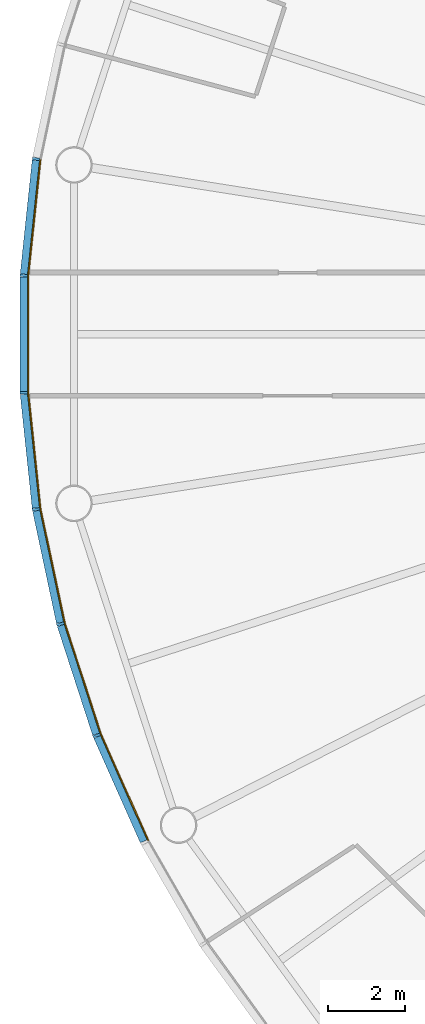
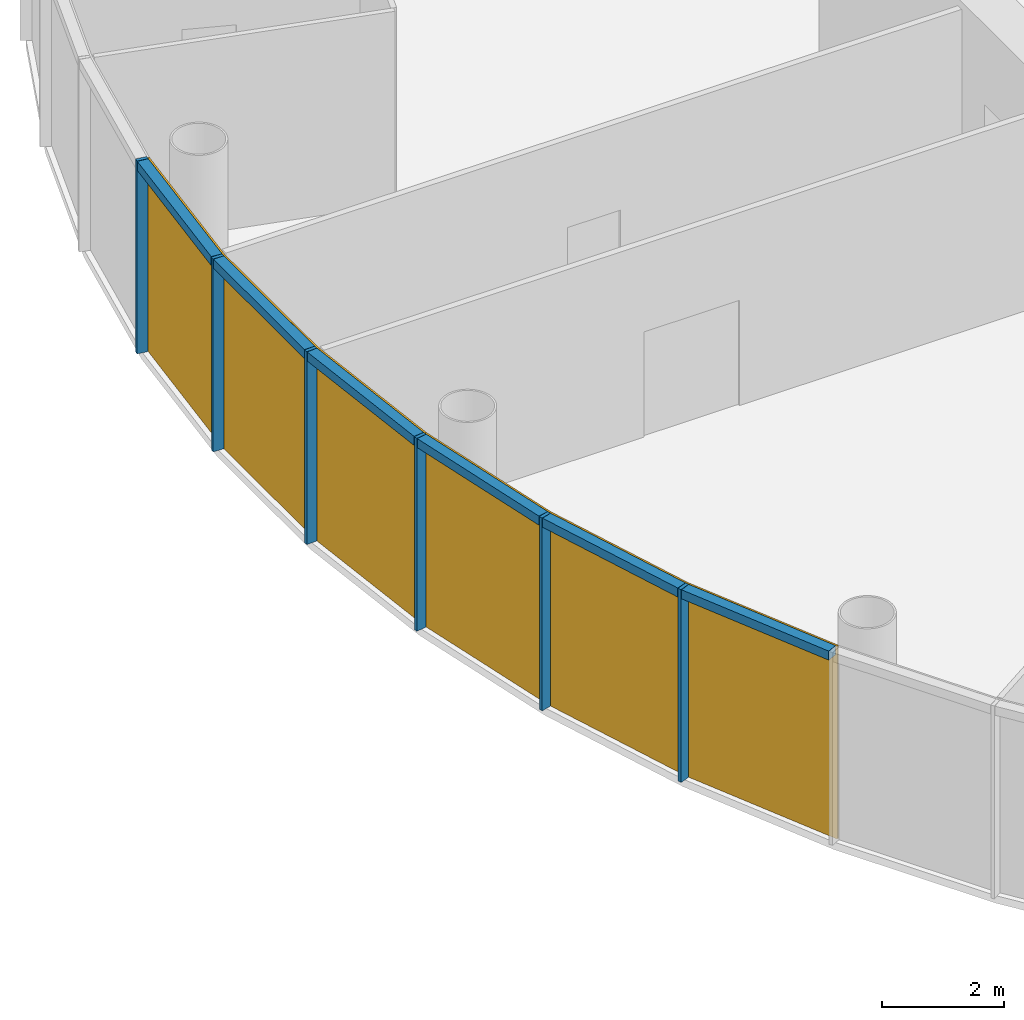
# One storey, part 8 of 13: 12 members, 2 curtain walls.
"""IFC4 building model written with IfcOpenShell, lengths in metres."""

from ifc_helpers import new_model, si_unit, direction, frame, origin, origin_2d, place, context, subcontext, project, spatial, polyline, rectangle, outline, extrude, material, layer, layer_set, material_profile, profile_set, type_object, element, aggregate, save


model = new_model("IFC4")

# Units and contexts
model_context = context("Model", 3, precision=1e-05, world=origin(), true_north=direction((0.0, 1.0)))
body_context = subcontext(model_context, "Body", "Model", "MODEL_VIEW")
ifc_project = project(units=[si_unit("LENGTHUNIT", "METRE"), si_unit("AREAUNIT", "SQUARE_METRE"), si_unit("VOLUMEUNIT", "CUBIC_METRE"), si_unit("PLANEANGLEUNIT", "RADIAN"), si_unit("MASSUNIT", "GRAM", prefix="KILO")], contexts=[model_context])

# Member
ifc_material_1 = material(Name="Anodised aluminium", Category="aluminium")
ifc_material_profile_1 = material_profile(ifc_material_1, rectangle(XDim=0.06494140625, YDim=0.195068359375, at=origin_2d()), Name="Mullion 65 x 195 mm anodised aluminium")
ifc_profile_set_1 = profile_set([ifc_material_profile_1], Name="Anodised aluminium")
member_type_1 = type_object("IfcMemberType", Name="Mullion 65 x 195 mm anodised aluminium", PredefinedType="MULLION", material=ifc_profile_set_1)
site_placement = place(None, origin())
building_placement = place(site_placement, origin())
storey_placement = place(building_placement, frame((0.0, 0.0, 282.0)))
member_1_placement = place(storey_placement, frame((61.2607421875, 84.5517578125, 0.0), z_axis=(0.0, 0.0, 1.0), x_axis=(-0.15643446504, -0.987688340595, 0.0)))
member_1 = element("IfcMember", 1, at=member_1_placement, type_object=member_type_1, Name="MULLION L64-27", PredefinedType="MULLION", context=body_context, shape_type="SweptSolid", body=[
    extrude(rectangle(XDim=0.06494140625, YDim=0.195068359375, at=origin_2d()), origin(), (0.0, 0.0, 1.0), 3.85009765625),
])

member_2_placement = place(storey_placement, frame((60.9423828125, 81.52294921875, 0.0), z_axis=(0.0, 0.0, 1.0), x_axis=(-0.052335956243, -0.998629534755, 0.0)))
member_2 = element("IfcMember", 2, at=member_2_placement, type_object=member_type_1, Name="MULLION L64-28", PredefinedType="MULLION", context=body_context, shape_type="SweptSolid", body=[
    extrude(rectangle(XDim=0.06494140625, YDim=0.195068359375, at=origin_2d()), origin(), (0.0, 0.0, 1.0), 3.85009765625),
])

member_3_placement = place(storey_placement, frame((60.9423828125, 78.47705078125, 0.0), z_axis=(0.0, 0.0, 1.0), x_axis=(0.052335956243, -0.998629534755, 0.0)))
member_3 = element("IfcMember", 3, at=member_3_placement, type_object=member_type_1, Name="MULLION L64-29", PredefinedType="MULLION", context=body_context, shape_type="SweptSolid", body=[
    extrude(rectangle(XDim=0.06494140625, YDim=0.195068359375, at=origin_2d()), origin(), (0.0, 0.0, 1.0), 3.85009765625),
])

member_4_placement = place(storey_placement, frame((61.2607421875, 75.4482421875, 0.0), z_axis=(0.0, 0.0, 1.0), x_axis=(0.15643446504, -0.987688340595, 0.0)))
member_4 = element("IfcMember", 4, at=member_4_placement, type_object=member_type_1, Name="MULLION L64-30", PredefinedType="MULLION", context=body_context, shape_type="SweptSolid", body=[
    extrude(rectangle(XDim=0.06494140625, YDim=0.195068359375, at=origin_2d()), origin(), (0.0, 0.0, 1.0), 3.85009765625),
])

member_5_placement = place(storey_placement, frame((61.89404296875, 72.468994140625, 0.0), z_axis=(0.0, 0.0, 1.0), x_axis=(0.258819045103, -0.965925826289, 0.0)))
member_5 = element("IfcMember", 5, at=member_5_placement, type_object=member_type_1, Name="MULLION L64-31", PredefinedType="MULLION", context=body_context, shape_type="SweptSolid", body=[
    extrude(rectangle(XDim=0.06494140625, YDim=0.195068359375, at=origin_2d()), origin(), (0.0, 0.0, 1.0), 3.85009765625),
])

member_6_placement = place(storey_placement, frame((62.835205078125, 69.572509765625, 0.0), z_axis=(0.0, 0.0, 1.0), x_axis=(0.358367949545, -0.933580426497, 0.0)))
member_6 = element("IfcMember", 6, at=member_6_placement, type_object=member_type_1, Name="MULLION L64-32", PredefinedType="MULLION", context=body_context, shape_type="SweptSolid", body=[
    extrude(rectangle(XDim=0.06494140625, YDim=0.195068359375, at=origin_2d()), origin(), (0.0, 0.0, 1.0), 3.85009765625),
])

ifc_material_2 = material(Name="Anodised aluminium", Category="aluminium")
ifc_material_profile_2 = material_profile(ifc_material_2, rectangle(XDim=0.195068359375, YDim=0.179931640625, at=origin_2d()), Name="Transom 180 x 195 mm anodised aluminium")
ifc_profile_set_2 = profile_set([ifc_material_profile_2], Name="Anodised aluminium")
member_type_2 = type_object("IfcMemberType", Name="Transom 180 x 195 mm anodised aluminium", PredefinedType="USERDEFINED", material=ifc_profile_set_2)
member_7_placement = place(storey_placement, frame((61.256591796875, 84.514404296875, 3.760009765625), z_axis=(-0.104466577987, -0.994528397827, 0.0), x_axis=(0.994528397827, -0.104466577987, 0.0)))
member_7 = element("IfcMember", 7, at=member_7_placement, type_object=member_type_2, Name="TRANSOM L64-27", ObjectType="TRANSOM", PredefinedType="USERDEFINED", context=body_context, shape_type="SweptSolid", body=[
    extrude(rectangle(XDim=0.195068359375, YDim=0.179931640625, at=origin_2d()), origin(), (0.0, 0.0, 1.0), 2.970458984375),
])

member_8_placement = place(storey_placement, frame((60.942138671875, 81.4853515625, 3.760009765625), z_axis=(0.0, -1.0, 0.0), x_axis=(1.0, 0.0, 0.0)))
member_8 = element("IfcMember", 8, at=member_8_placement, type_object=member_type_2, Name="TRANSOM L64-28", ObjectType="TRANSOM", PredefinedType="USERDEFINED", context=body_context, shape_type="SweptSolid", body=[
    extrude(rectangle(XDim=0.195068359375, YDim=0.179931640625, at=origin_2d()), origin(), (0.0, 0.0, 1.0), 2.970703125),
])

member_9_placement = place(storey_placement, frame((60.9462890625, 78.439697265625, 3.760009765625), z_axis=(0.104466577987, -0.994528397827, 0.0), x_axis=(0.994528397827, 0.104466577987, 0.0)))
member_9 = element("IfcMember", 9, at=member_9_placement, type_object=member_type_2, Name="TRANSOM L64-29", ObjectType="TRANSOM", PredefinedType="USERDEFINED", context=body_context, shape_type="SweptSolid", body=[
    extrude(rectangle(XDim=0.195068359375, YDim=0.179931640625, at=origin_2d()), origin(), (0.0, 0.0, 1.0), 2.970458984375),
])

member_10_placement = place(storey_placement, frame((61.268310546875, 75.411376953125, 3.760009765625), z_axis=(0.207940342877, -0.978141510112, 0.0), x_axis=(0.978141510112, 0.207940342877, 0.0)))
member_10 = element("IfcMember", 10, at=member_10_placement, type_object=member_type_2, Name="TRANSOM L64-30", ObjectType="TRANSOM", PredefinedType="USERDEFINED", context=body_context, shape_type="SweptSolid", body=[
    extrude(rectangle(XDim=0.195068359375, YDim=0.179931640625, at=origin_2d()), origin(), (0.0, 0.0, 1.0), 2.970458984375),
])

member_11_placement = place(storey_placement, frame((61.905517578125, 72.43310546875, 3.760009765625), z_axis=(0.309043326415, -0.951047960094, 0.0), x_axis=(0.951047960094, 0.309043326415, 0.0)))
member_11 = element("IfcMember", 11, at=member_11_placement, type_object=member_type_2, Name="TRANSOM L64-31", ObjectType="TRANSOM", PredefinedType="USERDEFINED", context=body_context, shape_type="SweptSolid", body=[
    extrude(rectangle(XDim=0.195068359375, YDim=0.179931640625, at=origin_2d()), origin(), (0.0, 0.0, 1.0), 2.970458984375),
])

member_12_placement = place(storey_placement, frame((62.850341796875, 69.5380859375, 3.760009765625), z_axis=(0.406725527369, -0.913550406593, 0.0), x_axis=(0.913550406593, 0.406725527369, 0.0)))
member_12 = element("IfcMember", 12, at=member_12_placement, type_object=member_type_2, Name="TRANSOM L64-32", ObjectType="TRANSOM", PredefinedType="USERDEFINED", context=body_context, shape_type="SweptSolid", body=[
    extrude(rectangle(XDim=0.195068359375, YDim=0.179931640625, at=origin_2d()), origin(), (0.0, 0.0, 1.0), 2.970703125),
])

# Site, building, storey
site = spatial("IfcSite", under=ifc_project, at=site_placement, CompositionType="ELEMENT")
building = spatial("IfcBuilding", under=site, at=building_placement, Name="Entoto Ring Tower", CompositionType="ELEMENT")
storey = spatial("IfcBuildingStorey", under=building, at=storey_placement, Name="L64", CompositionType="ELEMENT", Elevation=282.0)

# Curtain wall
ifc_material_3 = material(Name="Clear low-iron glass", Category="glass")
ifc_layer = layer(ifc_material_3, 0.033935546875)
ifc_layer_set = layer_set([ifc_layer], Name="Clear low-iron glass")
curtain_wall_type = type_object("IfcCurtainWallType", Name="Curtain wall system CW5 glazing 34 mm", PredefinedType="NOTDEFINED", material=ifc_layer_set)
curtain_wall_1_placement = place(storey_placement, origin())
curtain_wall_1 = element("IfcCurtainWall", 13, at=curtain_wall_1_placement, inside=storey, type_object=curtain_wall_type, Name="CW5 L64-10", PredefinedType="NOTDEFINED", context=body_context, shape_type="SweptSolid", body=[
    extrude(outline(polyline([(61.35693359375, 84.53662109375), (61.039794921875, 81.517822265625), (61.039794921875, 78.482177734375), (61.35693359375, 75.46337890625), (61.390625, 75.46875), (61.07373046875, 78.484130859375), (61.07373046875, 81.515869140625), (61.390625, 84.53125), (61.35693359375, 84.53662109375)])), origin(), (0.0, 0.0, 1.0), 3.85009765625),
])

aggregate(curtain_wall_1, [member_1, member_2, member_3, member_7, member_8, member_9])

curtain_wall_2_placement = place(storey_placement, origin())
curtain_wall_2 = element("IfcCurtainWall", 14, at=curtain_wall_2_placement, inside=storey, type_object=curtain_wall_type, Name="CW5 L64-11", PredefinedType="NOTDEFINED", context=body_context, shape_type="SweptSolid", body=[
    extrude(outline(polyline([(61.35693359375, 75.46337890625), (61.988037109375, 72.494140625), (62.92626953125, 69.607421875), (64.160888671875, 66.834228515625), (64.191162109375, 66.849853515625), (62.9580078125, 69.61962890625), (62.02099609375, 72.503173828125), (61.390625, 75.46875), (61.35693359375, 75.46337890625)])), origin(), (0.0, 0.0, 1.0), 3.85009765625),
])

aggregate(curtain_wall_2, [member_4, member_5, member_6, member_10, member_11, member_12])

save(model, "model.ifc")
